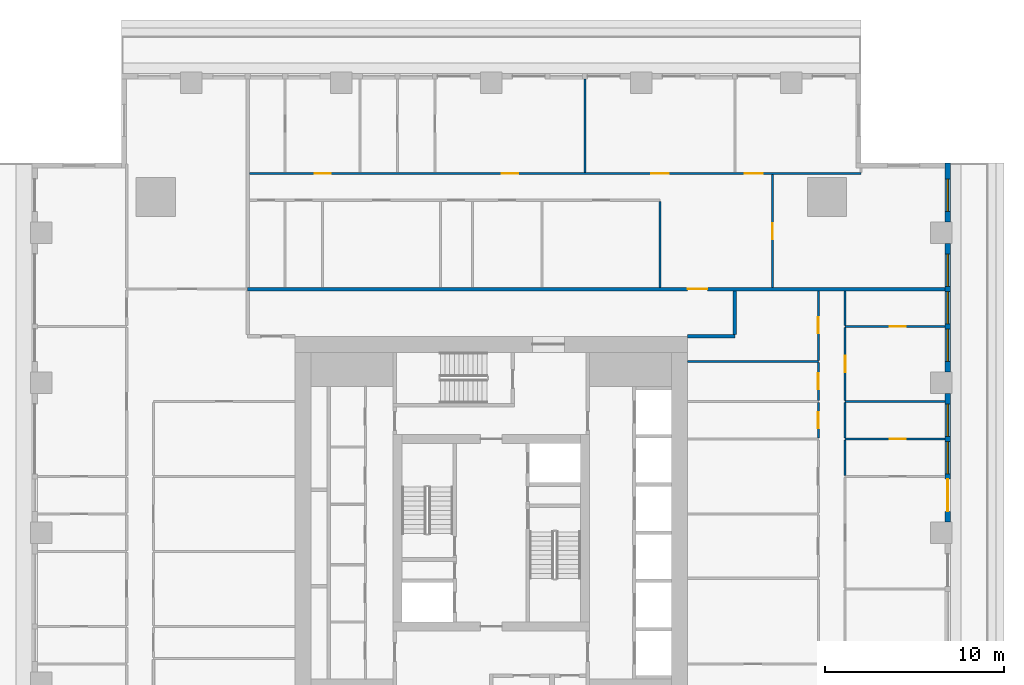
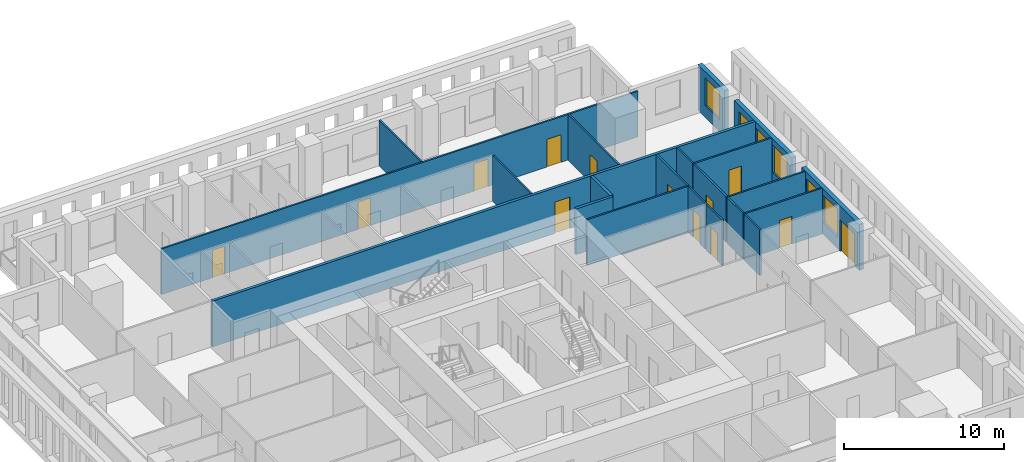
# One storey, part 8 of 14: 21 walls, 13 doors, 6 windows, 19 openings.
"""IFC4 building model written with IfcOpenShell, lengths in metres."""

import ifcopenshell
import ifcopenshell.guid

model = None  # the IFC model being written
_history = None  # IfcOwnerHistory: only IFC2X3 demands one
_inside = {}  # id of a spatial element -> (the spatial element, [elements in it])
_under = {}  # id of a project, library or spatial element -> (it, [spatial elements below it])
_declared = {}  # id of a project -> (the project, [libraries it declares])
_typed = {}  # id of a type object -> (the type object, [elements of that type])
_made_of = {}  # id of a material, layer set ... -> (it, [elements and type objects made of it])


def new_model(schema):
    """Start an empty IFC model of exactly this schema.

    Asked for "IFC4X3", IfcOpenShell would pick the latest addendum, in which some entities
    have other attributes; the version numbers below select the first issue.
    IFC2X3 requires an IfcOwnerHistory on every rooted entity: one is made here for all.
    """
    global model, _history
    if schema == "IFC4X3":
        model = ifcopenshell.file(schema_version=(4, 3, 0, 0))
    else:
        model = ifcopenshell.file(schema=schema)
    _inside.clear()
    _under.clear()
    _declared.clear()
    _typed.clear()
    _made_of.clear()
    _history = None
    if model.schema == "IFC2X3":
        org = make("IfcOrganization", Name="unknown")
        user = make(
            "IfcPersonAndOrganization",
            ThePerson=make("IfcPerson", FamilyName="unknown"),
            TheOrganization=org,
        )
        app = make(
            "IfcApplication",
            ApplicationDeveloper=org,
            Version="unknown",
            ApplicationFullName="unknown",
            ApplicationIdentifier="unknown",
        )
        _history = make(
            "IfcOwnerHistory",
            OwningUser=user,
            OwningApplication=app,
            ChangeAction="ADDED",
            CreationDate=0,
        )
    return model


def make(cls, **values):
    """One entity of the class cls with the attributes given. An attribute that is None is left unset."""
    return model.create_entity(
        cls, **{name: value for name, value in values.items() if value is not None}
    )


def rooted(cls, **values):
    """An entity with a GlobalId (a new one), such as an element, a storey or a relation."""
    return make(cls, GlobalId=ifcopenshell.guid.new(), OwnerHistory=_history, **values)


def si_unit(unit_type, name, prefix=None):
    """IfcSIUnit, for example si_unit("LENGTHUNIT", "METRE", prefix="MILLI")."""
    return make("IfcSIUnit", UnitType=unit_type, Prefix=prefix, Name=name)


def assignment(units):
    """IfcUnitAssignment: the units of a project."""
    return None if units is None else make("IfcUnitAssignment", Units=units)


def point(xyz):
    """IfcCartesianPoint."""
    return None if xyz is None else make("IfcCartesianPoint", Coordinates=xyz)


def direction(xyz):
    """IfcDirection."""
    return None if xyz is None else make("IfcDirection", DirectionRatios=xyz)


def frame(location, z_axis=None, x_axis=None):
    """IfcAxis2Placement3D, a coordinate frame: its origin and axes. An axis left out is left unset."""
    return make(
        "IfcAxis2Placement3D",
        Location=point(location),
        Axis=direction(z_axis),
        RefDirection=direction(x_axis),
    )


def frame_2d(location, x_axis=None):
    """IfcAxis2Placement2D, a coordinate frame in the plane: its origin and x axis."""
    return make(
        "IfcAxis2Placement2D", Location=point(location), RefDirection=direction(x_axis)
    )


def origin():
    """The frame at (0, 0, 0) with its axes left unset."""
    return frame((0.0, 0.0, 0.0))


def place(relative_to, where):
    """IfcLocalPlacement: puts the frame where relative to a parent placement (None: the world)."""
    return make(
        "IfcLocalPlacement", PlacementRelTo=relative_to, RelativePlacement=where
    )


def context(
    kind, dimensions, precision=None, world=None, true_north=None, identifier=None
):
    """IfcGeometricRepresentationContext, for example the 3D "Model" context."""
    return make(
        "IfcGeometricRepresentationContext",
        ContextIdentifier=identifier,
        ContextType=kind,
        CoordinateSpaceDimension=dimensions,
        Precision=precision,
        WorldCoordinateSystem=world,
        TrueNorth=true_north,
    )


def subcontext(parent, identifier, kind, view, scale=None):
    """IfcGeometricRepresentationSubContext, for example "Body" below "Model"."""
    return make(
        "IfcGeometricRepresentationSubContext",
        ContextIdentifier=identifier,
        ContextType=kind,
        ParentContext=parent,
        TargetScale=scale,
        TargetView=view,
    )


def project(units=None, contexts=None):
    """IfcProject with its units and contexts."""
    return rooted(
        "IfcProject",
        Name="project",
        RepresentationContexts=contexts,
        UnitsInContext=assignment(units),
    )


def spatial(cls, under=None, at=None, **own):
    """A site, building, storey or space (cls), placed at a placement, below another one or the project."""
    s = rooted(cls, ObjectPlacement=at, **own)
    if under is not None:
        _under.setdefault(under.id(), (under, []))[1].append(s)
    return s


def profile(cls, at=None, kind="AREA", **sizes):
    """A parametric profile (cls). Its sizes go by their IFC names, for example OverallWidth=200.0."""
    return make(cls, ProfileType=kind, Position=at, **sizes)


def rectangle(**sizes):
    """IfcRectangleProfileDef."""
    return profile("IfcRectangleProfileDef", **sizes)


def extrude(swept, where, along, depth):
    """IfcExtrudedAreaSolid: the profile swept, set in the frame where, extruded along a direction by depth."""
    return make(
        "IfcExtrudedAreaSolid",
        SweptArea=swept,
        Position=where,
        ExtrudedDirection=direction(along),
        Depth=depth,
    )


def shape(context_of_items, identifier, shape_type, items):
    """IfcShapeRepresentation: the items that make up one representation, for example the "Body"."""
    return make(
        "IfcShapeRepresentation",
        ContextOfItems=context_of_items,
        RepresentationIdentifier=identifier,
        RepresentationType=shape_type,
        Items=items,
    )


def material(Name=None, Category=None):
    """IfcMaterial."""
    return make("IfcMaterial", Name=Name, Category=Category)


def layer(
    of_material, thickness, ventilated=None, Name=None, Category=None, Priority=None
):
    """IfcMaterialLayer: one layer of a wall or slab, of a material (None: an air gap)."""
    return make(
        "IfcMaterialLayer",
        Material=of_material,
        LayerThickness=thickness,
        IsVentilated=ventilated,
        Name=Name,
        Category=Category,
        Priority=Priority,
    )


def layer_set(layers, Name=None):
    """IfcMaterialLayerSet."""
    return make("IfcMaterialLayerSet", MaterialLayers=layers, LayerSetName=Name)


def made_of(thing, what):
    """Note that an element or type object is made of a material, layer set ...; save() writes the relation."""
    if what is not None:
        _made_of.setdefault(what.id(), (what, []))[1].append(thing)
    return thing


def type_object(cls, material=None, **own):
    """A type object (cls), such as IfcWallType, which elements share."""
    return made_of(rooted(cls, **own), material)


def element(
    cls,
    number,
    at=None,
    inside=None,
    cuts=None,
    type_object=None,
    material=None,
    context=None,
    identifier="Body",
    shape_type=None,
    held_by="IfcProductDefinitionShape",
    body=None,
    shapes=None,
    **own,
):
    """One element of the class cls, such as IfcWall. Its Tag is "e" and its number.

    at: its placement. inside: the storey or other place that contains it. cuts: it is an
    opening in that element (IfcRelVoidsElement). A single representation is given by context,
    identifier, shape_type and body (its items); several are given by shapes. held_by: the class
    of the entity that holds the representations. save() writes the other relations.
    """
    e = rooted(cls, Tag="e%d" % number, ObjectPlacement=at, **own)
    if body is not None:
        shapes = [shape(context, identifier, shape_type, body)]
    if shapes is not None:
        e.Representation = make(held_by, Representations=shapes)
    if inside is not None:
        _inside.setdefault(inside.id(), (inside, []))[1].append(e)
    if cuts is not None:
        rooted(
            "IfcRelVoidsElement", RelatingBuildingElement=cuts, RelatedOpeningElement=e
        )
    if type_object is not None:
        _typed.setdefault(type_object.id(), (type_object, []))[1].append(e)
    return made_of(e, material)


def fill(opening, filler):
    """IfcRelFillsElement: the door or window that sits in an opening."""
    return rooted(
        "IfcRelFillsElement",
        RelatingOpeningElement=opening,
        RelatedBuildingElement=filler,
    )


def aggregate(whole, parts):
    """IfcRelAggregates: a whole, such as a stair, and the parts it consists of."""
    return rooted("IfcRelAggregates", RelatingObject=whole, RelatedObjects=parts)


def save(model, path):
    """Write the relations noted so far, then the file.

    IfcRelAggregates (storeys below a building ...), IfcRelContainedInSpatialStructure (elements
    in a storey), IfcRelDefinesByType, IfcRelAssociatesMaterial and IfcRelDeclares: one each for
    every whole, place, type object, material and project.
    """
    for whole, parts in _under.values():
        aggregate(whole, parts)
    for where, things in _inside.values():
        rooted(
            "IfcRelContainedInSpatialStructure",
            RelatedElements=things,
            RelatingStructure=where,
        )
    for kind, things in _typed.values():
        rooted("IfcRelDefinesByType", RelatedObjects=things, RelatingType=kind)
    for what, things in _made_of.values():
        rooted("IfcRelAssociatesMaterial", RelatedObjects=things, RelatingMaterial=what)
    for by, libraries in _declared.values():
        rooted("IfcRelDeclares", RelatingContext=by, RelatedDefinitions=libraries)
    model.write(path)


model = new_model("IFC4")

# Units and contexts
model_context = context("Model", 3, precision=1e-05, world=origin(), true_north=direction((0.0, 1.0)))
body_context = subcontext(model_context, "Body", "Model", "MODEL_VIEW")
ifc_project = project(units=[si_unit("LENGTHUNIT", "METRE"), si_unit("AREAUNIT", "SQUARE_METRE"), si_unit("VOLUMEUNIT", "CUBIC_METRE"), si_unit("PLANEANGLEUNIT", "RADIAN"), si_unit("MASSUNIT", "GRAM", prefix="KILO")], contexts=[model_context])

# Site, building, storey
site_placement = place(None, origin())
site = spatial("IfcSite", under=ifc_project, at=site_placement, CompositionType="ELEMENT")
building_placement = place(site_placement, origin())
building = spatial("IfcBuilding", under=site, at=building_placement, Name="Khepri Terraces", CompositionType="ELEMENT")
storey_placement = place(building_placement, frame((0.0, 0.0, 271.800048828125)))
storey = spatial("IfcBuildingStorey", under=building, at=storey_placement, Name="L65", CompositionType="ELEMENT", Elevation=271.800048828125)

# Walls
ifc_material_1 = material(Name="Fire-rated gypsum plasterboard partition, mineral wool")
ifc_layer_1 = layer(ifc_material_1, 0.199951171875, Name="Fire-rated gypsum plasterboard partition, mineral wool")
ifc_layer_set_1 = layer_set([ifc_layer_1], Name="Fire-rated gypsum plasterboard partition, mineral wool")
wall_type_1 = type_object("IfcWallType", Name="WL-CORR-200", PredefinedType="PARTITIONING", material=ifc_layer_set_1)
wall_1_placement = place(storey_placement, frame((11.0, 11.0, 0.0), z_axis=(0.0, 0.0, 1.0), x_axis=(1.0, 0.0, 0.0)))
element("IfcWall", 1, at=wall_1_placement, inside=storey, type_object=wall_type_1, Name="Partition P-071 L65", PredefinedType="PARTITIONING", context=body_context, shape_type="SweptSolid", body=[
    extrude(rectangle(XDim=2.64990234375, YDim=0.199951171875, at=frame_2d((1.324951171875, 0.0))), origin(), (0.0, 0.0, 1.0), 3.47998046875),
])
wall_2_placement = place(storey_placement, frame((13.64990234375, 11.10009765625, 0.0), z_axis=(0.0, 0.0, 1.0), x_axis=(0.0, 1.0, 0.0)))
element("IfcWall", 2, at=wall_2_placement, inside=storey, type_object=wall_type_1, Name="Partition P-073 L65", PredefinedType="PARTITIONING", context=body_context, shape_type="SweptSolid", body=[
    extrude(rectangle(XDim=2.449951171875, YDim=0.199951171875, at=frame_2d((1.22509765625, 0.0))), origin(), (0.0, 0.0, 1.0), 3.47998046875),
])

# Wall, opening, door
wall_3_placement = place(storey_placement, frame((-13.64990234375, 13.64990234375, 0.0), z_axis=(0.0, 0.0, 1.0), x_axis=(1.0, 0.0, 0.0)))
wall_3 = element("IfcWall", 3, at=wall_3_placement, inside=storey, type_object=wall_type_1, Name="Partition P-079 L65", PredefinedType="PARTITIONING", context=body_context, shape_type="SweptSolid", body=[
    extrude(rectangle(XDim=39.06982421875, YDim=0.199951171875, at=frame_2d((19.534912109375, 0.0))), origin(), (0.0, 0.0, 1.0), 3.47998046875),
])
opening_1_placement = place(wall_3_placement, frame((24.64990234375, 0.0, 0.0)))
opening_1 = element("IfcOpeningElement", 4, at=opening_1_placement, cuts=wall_3, Name="Opening D1", PredefinedType="OPENING", context=body_context, shape_type="SweptSolid", body=[
    extrude(rectangle(XDim=1.10009765625, YDim=2.39990234375, at=frame_2d((0.550048828125, 1.199951171875))), frame((0.0, 0.10986328125, 0.0), z_axis=(0.0, -1.0, 0.0), x_axis=(1.0, 0.0, 0.0)), (0.0, 0.0, 1.0), 0.219970703125),
])
ifc_material_2 = material(Name="Solid-core timber door leaf, flat entrance door", Category="wood")
door_type_1 = type_object("IfcDoorType", Name="DR-ENT-1100", OperationType="NOTDEFINED", PredefinedType="DOOR", material=ifc_material_2)
door_1_placement = place(opening_1_placement, origin())
door_1 = element("IfcDoor", 5, at=door_1_placement, inside=storey, type_object=door_type_1, Name="Flat C1 entrance door", OperationType="SINGLE_SWING_RIGHT", OverallHeight=2.39990234375, OverallWidth=1.10009765625, PredefinedType="DOOR", context=body_context, shape_type="SweptSolid", body=[
    extrude(rectangle(XDim=1.10009765625, YDim=2.39990234375, at=frame_2d((0.550048828125, 1.199951171875))), frame((0.0, 0.02490234375, 0.0), z_axis=(0.0, -1.0, 0.0), x_axis=(1.0, 0.0, 0.0)), (0.0, 0.0, 1.0), 0.050048828125),
])
fill(opening_1, door_1)

# Wall, openings, door, windows
ifc_material_3 = material(Name="Precast concrete C50/60 warm stone", Category="masonry")
ifc_layer_2 = layer(ifc_material_3, 0.300048828125, Name="Precast concrete C50/60 warm stone", Category="masonry")
ifc_layer_set_2 = layer_set([ifc_layer_2], Name="Precast concrete C50/60 warm stone")
wall_type_2 = type_object("IfcWallType", Name="WL-EXT-PRECAST-300", PredefinedType="STANDARD", material=ifc_layer_set_2)
wall_4_placement = place(storey_placement, frame((25.570068359375, 0.60009765625, 0.0), z_axis=(0.0, 0.0, 1.0), x_axis=(0.0, 1.0, 0.0)))
wall_4 = element("IfcWall", 6, at=wall_4_placement, inside=storey, type_object=wall_type_2, Name="External wall L65 E", PredefinedType="STANDARD", context=body_context, shape_type="SweptSolid", body=[
    extrude(rectangle(XDim=7.199951171875, YDim=0.300048828125, at=frame_2d((3.60009765625, 0.0))), origin(), (0.0, 0.0, 1.0), 3.47998046875),
])
opening_2_placement = place(wall_4_placement, frame((0.60009765625, 0.0, 0.0)))
opening_2 = element("IfcOpeningElement", 7, at=opening_2_placement, cuts=wall_4, Name="Opening ED-L65-04", PredefinedType="OPENING", context=body_context, shape_type="SweptSolid", body=[
    extrude(rectangle(XDim=1.800048828125, YDim=2.39990234375, at=frame_2d((0.89990234375, 1.199951171875))), frame((0.0, 0.16015625, 0.0), z_axis=(0.0, -1.0, 0.0), x_axis=(1.0, 0.0, 0.0)), (0.0, 0.0, 1.0), 0.320068359375),
])
opening_3_placement = place(wall_4_placement, frame((2.699951171875, 0.0, 0.89990234375)))
opening_3 = element("IfcOpeningElement", 8, at=opening_3_placement, cuts=wall_4, Name="Opening W1", PredefinedType="OPENING", context=body_context, shape_type="SweptSolid", body=[
    extrude(rectangle(XDim=1.800048828125, YDim=2.10009765625, at=frame_2d((0.89990234375, 1.050048828125))), frame((0.0, 0.16015625, 0.0), z_axis=(0.0, -1.0, 0.0), x_axis=(1.0, 0.0, 0.0)), (0.0, 0.0, 1.0), 0.320068359375),
])
opening_4_placement = place(wall_4_placement, frame((4.800048828125, 0.0, 0.89990234375)))
opening_4 = element("IfcOpeningElement", 9, at=opening_4_placement, cuts=wall_4, Name="Opening W1", PredefinedType="OPENING", context=body_context, shape_type="SweptSolid", body=[
    extrude(rectangle(XDim=1.800048828125, YDim=2.10009765625, at=frame_2d((0.89990234375, 1.050048828125))), frame((0.0, 0.16015625, 0.0), z_axis=(0.0, -1.0, 0.0), x_axis=(1.0, 0.0, 0.0)), (0.0, 0.0, 1.0), 0.320068359375),
])
ifc_material_4 = material(Name="Anodised aluminium bronze glazed door", Category="aluminium")
door_type_2 = type_object("IfcDoorType", Name="DR-BAL-SLIDE-1800x2400", OperationType="NOTDEFINED", PredefinedType="DOOR", material=ifc_material_4)
door_2_placement = place(opening_2_placement, origin())
door_2 = element("IfcDoor", 10, at=door_2_placement, inside=storey, type_object=door_type_2, Name="Balcony door L65 E", OperationType="SLIDING_TO_LEFT", OverallHeight=2.39990234375, OverallWidth=1.800048828125, PredefinedType="DOOR", context=body_context, shape_type="SweptSolid", body=[
    extrude(rectangle(XDim=1.800048828125, YDim=2.39990234375, at=frame_2d((0.89990234375, 1.199951171875))), frame((0.0, 0.02490234375, 0.0), z_axis=(0.0, -1.0, 0.0), x_axis=(1.0, 0.0, 0.0)), (0.0, 0.0, 1.0), 0.050048828125),
])
fill(opening_2, door_2)
ifc_material_5 = material(Name="Clear glass", Category="glass")
window_type = type_object("IfcWindowType", Name="WIN-RES-1800x2100", PartitioningType="SINGLE_PANEL", PredefinedType="WINDOW", material=ifc_material_5)
window_1_placement = place(opening_3_placement, origin())
window_1 = element("IfcWindow", 11, at=window_1_placement, inside=storey, type_object=window_type, Name="Window L65 E", OverallHeight=2.10009765625, OverallWidth=1.800048828125, PartitioningType="SINGLE_PANEL", PredefinedType="WINDOW", context=body_context, shape_type="SweptSolid", body=[
    extrude(rectangle(XDim=1.800048828125, YDim=2.10009765625, at=frame_2d((0.89990234375, 1.050048828125))), frame((0.0, 0.030029296875, 0.0), z_axis=(0.0, -1.0, 0.0), x_axis=(1.0, 0.0, 0.0)), (0.0, 0.0, 1.0), 0.06005859375),
])
fill(opening_3, window_1)
window_2_placement = place(opening_4_placement, origin())
window_2 = element("IfcWindow", 12, at=window_2_placement, inside=storey, type_object=window_type, Name="Window L65 E", OverallHeight=2.10009765625, OverallWidth=1.800048828125, PartitioningType="SINGLE_PANEL", PredefinedType="WINDOW", context=body_context, shape_type="SweptSolid", body=[
    extrude(rectangle(XDim=1.800048828125, YDim=2.10009765625, at=frame_2d((0.89990234375, 1.050048828125))), frame((0.0, 0.030029296875, 0.0), z_axis=(0.0, -1.0, 0.0), x_axis=(1.0, 0.0, 0.0)), (0.0, 0.0, 1.0), 0.06005859375),
])
fill(opening_4, window_2)

# Wall, openings, windows
wall_5_placement = place(storey_placement, frame((25.570068359375, 9.0, 0.0), z_axis=(0.0, 0.0, 1.0), x_axis=(0.0, 1.0, 0.0)))
wall_5 = element("IfcWall", 13, at=wall_5_placement, inside=storey, type_object=wall_type_2, Name="External wall L65 E", PredefinedType="STANDARD", context=body_context, shape_type="SweptSolid", body=[
    extrude(rectangle(XDim=7.199951171875, YDim=0.300048828125, at=frame_2d((3.60009765625, 0.0))), origin(), (0.0, 0.0, 1.0), 3.47998046875),
])
opening_5_placement = place(wall_5_placement, frame((0.60009765625, 0.0, 0.89990234375)))
opening_5 = element("IfcOpeningElement", 14, at=opening_5_placement, cuts=wall_5, Name="Opening W1", PredefinedType="OPENING", context=body_context, shape_type="SweptSolid", body=[
    extrude(rectangle(XDim=1.800048828125, YDim=2.10009765625, at=frame_2d((0.89990234375, 1.050048828125))), frame((0.0, 0.16015625, 0.0), z_axis=(0.0, -1.0, 0.0), x_axis=(1.0, 0.0, 0.0)), (0.0, 0.0, 1.0), 0.320068359375),
])
opening_6_placement = place(wall_5_placement, frame((2.699951171875, 0.0, 0.89990234375)))
opening_6 = element("IfcOpeningElement", 15, at=opening_6_placement, cuts=wall_5, Name="Opening W1", PredefinedType="OPENING", context=body_context, shape_type="SweptSolid", body=[
    extrude(rectangle(XDim=1.800048828125, YDim=2.10009765625, at=frame_2d((0.89990234375, 1.050048828125))), frame((0.0, 0.16015625, 0.0), z_axis=(0.0, -1.0, 0.0), x_axis=(1.0, 0.0, 0.0)), (0.0, 0.0, 1.0), 0.320068359375),
])
opening_7_placement = place(wall_5_placement, frame((4.800048828125, 0.0, 0.89990234375)))
opening_7 = element("IfcOpeningElement", 16, at=opening_7_placement, cuts=wall_5, Name="Opening W1", PredefinedType="OPENING", context=body_context, shape_type="SweptSolid", body=[
    extrude(rectangle(XDim=1.800048828125, YDim=2.10009765625, at=frame_2d((0.89990234375, 1.050048828125))), frame((0.0, 0.16015625, 0.0), z_axis=(0.0, -1.0, 0.0), x_axis=(1.0, 0.0, 0.0)), (0.0, 0.0, 1.0), 0.320068359375),
])
window_3_placement = place(opening_5_placement, origin())
window_3 = element("IfcWindow", 17, at=window_3_placement, inside=storey, type_object=window_type, Name="Window L65 E", OverallHeight=2.10009765625, OverallWidth=1.800048828125, PartitioningType="SINGLE_PANEL", PredefinedType="WINDOW", context=body_context, shape_type="SweptSolid", body=[
    extrude(rectangle(XDim=1.800048828125, YDim=2.10009765625, at=frame_2d((0.89990234375, 1.050048828125))), frame((0.0, 0.030029296875, 0.0), z_axis=(0.0, -1.0, 0.0), x_axis=(1.0, 0.0, 0.0)), (0.0, 0.0, 1.0), 0.06005859375),
])
fill(opening_5, window_3)
window_4_placement = place(opening_6_placement, origin())
window_4 = element("IfcWindow", 18, at=window_4_placement, inside=storey, type_object=window_type, Name="Window L65 E", OverallHeight=2.10009765625, OverallWidth=1.800048828125, PartitioningType="SINGLE_PANEL", PredefinedType="WINDOW", context=body_context, shape_type="SweptSolid", body=[
    extrude(rectangle(XDim=1.800048828125, YDim=2.10009765625, at=frame_2d((0.89990234375, 1.050048828125))), frame((0.0, 0.030029296875, 0.0), z_axis=(0.0, -1.0, 0.0), x_axis=(1.0, 0.0, 0.0)), (0.0, 0.0, 1.0), 0.06005859375),
])
fill(opening_6, window_4)
window_5_placement = place(opening_7_placement, origin())
window_5 = element("IfcWindow", 19, at=window_5_placement, inside=storey, type_object=window_type, Name="Window L65 E", OverallHeight=2.10009765625, OverallWidth=1.800048828125, PartitioningType="SINGLE_PANEL", PredefinedType="WINDOW", context=body_context, shape_type="SweptSolid", body=[
    extrude(rectangle(XDim=1.800048828125, YDim=2.10009765625, at=frame_2d((0.89990234375, 1.050048828125))), frame((0.0, 0.030029296875, 0.0), z_axis=(0.0, -1.0, 0.0), x_axis=(1.0, 0.0, 0.0)), (0.0, 0.0, 1.0), 0.06005859375),
])
fill(opening_7, window_5)

# Wall, opening, window
wall_6_placement = place(storey_placement, frame((25.570068359375, 17.39990234375, 0.0), z_axis=(0.0, 0.0, 1.0), x_axis=(0.0, 1.0, 0.0)))
wall_6 = element("IfcWall", 20, at=wall_6_placement, inside=storey, type_object=wall_type_2, Name="External wall L65 E", PredefinedType="STANDARD", context=body_context, shape_type="SweptSolid", body=[
    extrude(rectangle(XDim=3.320068359375, YDim=0.300048828125, at=frame_2d((1.66015625, 0.0))), origin(), (0.0, 0.0, 1.0), 3.47998046875),
])
opening_8_placement = place(wall_6_placement, frame((0.60009765625, 0.0, 0.89990234375)))
opening_8 = element("IfcOpeningElement", 21, at=opening_8_placement, cuts=wall_6, Name="Opening W1", PredefinedType="OPENING", context=body_context, shape_type="SweptSolid", body=[
    extrude(rectangle(XDim=1.800048828125, YDim=2.10009765625, at=frame_2d((0.89990234375, 1.050048828125))), frame((0.0, 0.16015625, 0.0), z_axis=(0.0, -1.0, 0.0), x_axis=(1.0, 0.0, 0.0)), (0.0, 0.0, 1.0), 0.320068359375),
])
window_6_placement = place(opening_8_placement, origin())
window_6 = element("IfcWindow", 22, at=window_6_placement, inside=storey, type_object=window_type, Name="Window L65 E", OverallHeight=2.10009765625, OverallWidth=1.800048828125, PartitioningType="SINGLE_PANEL", PredefinedType="WINDOW", context=body_context, shape_type="SweptSolid", body=[
    extrude(rectangle(XDim=1.800048828125, YDim=2.10009765625, at=frame_2d((0.89990234375, 1.050048828125))), frame((0.0, 0.030029296875, 0.0), z_axis=(0.0, -1.0, 0.0), x_axis=(1.0, 0.0, 0.0)), (0.0, 0.0, 1.0), 0.06005859375),
])
fill(opening_8, window_6)

# Wall
ifc_material_6 = material(Name="Gypsum plasterboard partition")
ifc_layer_3 = layer(ifc_material_6, 0.1201171875, Name="Gypsum plasterboard partition")
ifc_layer_set_3 = layer_set([ifc_layer_3], Name="Gypsum plasterboard partition")
wall_type_3 = type_object("IfcWallType", Name="WL-PART-120", PredefinedType="PARTITIONING", material=ifc_layer_set_3)
wall_7_placement = place(storey_placement, frame((19.820068359375, 3.2099609375, 0.0), z_axis=(0.0, 0.0, 1.0), x_axis=(0.0, 1.0, 0.0)))
element("IfcWall", 23, at=wall_7_placement, inside=storey, type_object=wall_type_3, Name="Partition P-058 L65", PredefinedType="PARTITIONING", context=body_context, shape_type="SweptSolid", body=[
    extrude(rectangle(XDim=1.97998046875, YDim=0.1201171875, at=frame_2d((0.989990234375, 0.0))), origin(), (0.0, 0.0, 1.0), 3.47998046875),
])

# Wall, opening, door
wall_8_placement = place(storey_placement, frame((19.820068359375, 5.25, 0.0), z_axis=(0.0, 0.0, 1.0), x_axis=(1.0, 0.0, 0.0)))
wall_8 = element("IfcWall", 24, at=wall_8_placement, inside=storey, type_object=wall_type_3, Name="Partition P-060 L65", PredefinedType="PARTITIONING", context=body_context, shape_type="SweptSolid", body=[
    extrude(rectangle(XDim=5.599853515625, YDim=0.1201171875, at=frame_2d((2.7998046875, 0.0))), origin(), (0.0, 0.0, 1.0), 3.47998046875),
])
opening_9_placement = place(wall_8_placement, frame((2.5, 0.0, 0.0)))
opening_9 = element("IfcOpeningElement", 25, at=opening_9_placement, cuts=wall_8, Name="Opening D4", PredefinedType="OPENING", context=body_context, shape_type="SweptSolid", body=[
    extrude(rectangle(XDim=0.89990234375, YDim=2.10009765625, at=frame_2d((0.449951171875, 1.050048828125))), frame((0.0, 0.070068359375, 0.0), z_axis=(0.0, -1.0, 0.0), x_axis=(1.0, 0.0, 0.0)), (0.0, 0.0, 1.0), 0.14013671875),
])
ifc_material_7 = material(Name="Timber door leaf, moisture resistant", Category="wood")
door_type_3 = type_object("IfcDoorType", Name="DR-WET-900", OperationType="NOTDEFINED", PredefinedType="DOOR", material=ifc_material_7)
door_3_placement = place(opening_9_placement, origin())
door_3 = element("IfcDoor", 26, at=door_3_placement, inside=storey, type_object=door_type_3, Name="Door Bathroom", OperationType="SINGLE_SWING_RIGHT", OverallHeight=2.10009765625, OverallWidth=0.89990234375, PredefinedType="DOOR", context=body_context, shape_type="SweptSolid", body=[
    extrude(rectangle(XDim=0.89990234375, YDim=2.10009765625, at=frame_2d((0.449951171875, 1.050048828125))), frame((0.0, 0.02490234375, 0.0), z_axis=(0.0, -1.0, 0.0), x_axis=(1.0, 0.0, 0.0)), (0.0, 0.0, 1.0), 0.050048828125),
])
fill(opening_9, door_3)

wall_9_placement = place(storey_placement, frame((18.320068359375, 5.31005859375, 0.0), z_axis=(0.0, 0.0, 1.0), x_axis=(0.0, 1.0, 0.0)))
wall_9 = element("IfcWall", 27, at=wall_9_placement, inside=storey, type_object=wall_type_3, Name="Partition P-061 L65", PredefinedType="PARTITIONING", context=body_context, shape_type="SweptSolid", body=[
    extrude(rectangle(XDim=1.97998046875, YDim=0.1201171875, at=frame_2d((0.989990234375, 0.0))), origin(), (0.0, 0.0, 1.0), 3.47998046875),
])
opening_10_placement = place(wall_9_placement, frame((0.5400390625, 0.0, 0.0)))
opening_10 = element("IfcOpeningElement", 28, at=opening_10_placement, cuts=wall_9, Name="Opening D4", PredefinedType="OPENING", context=body_context, shape_type="SweptSolid", body=[
    extrude(rectangle(XDim=0.89990234375, YDim=2.10009765625, at=frame_2d((0.449951171875, 1.050048828125))), frame((0.0, 0.070068359375, 0.0), z_axis=(0.0, -1.0, 0.0), x_axis=(1.0, 0.0, 0.0)), (0.0, 0.0, 1.0), 0.14013671875),
])
door_4_placement = place(opening_10_placement, origin())
door_4 = element("IfcDoor", 29, at=door_4_placement, inside=storey, type_object=door_type_3, Name="Door Powder Room", OperationType="SINGLE_SWING_RIGHT", OverallHeight=2.10009765625, OverallWidth=0.89990234375, PredefinedType="DOOR", context=body_context, shape_type="SweptSolid", body=[
    extrude(rectangle(XDim=0.89990234375, YDim=2.10009765625, at=frame_2d((0.449951171875, 1.050048828125))), frame((0.0, 0.02490234375, 0.0), z_axis=(0.0, -1.0, 0.0), x_axis=(1.0, 0.0, 0.0)), (0.0, 0.0, 1.0), 0.050048828125),
])
fill(opening_10, door_4)

# Walls
wall_10_placement = place(storey_placement, frame((19.820068359375, 5.31005859375, 0.0), z_axis=(0.0, 0.0, 1.0), x_axis=(0.0, 1.0, 0.0)))
element("IfcWall", 30, at=wall_10_placement, inside=storey, type_object=wall_type_3, Name="Partition P-062 L65", PredefinedType="PARTITIONING", context=body_context, shape_type="SweptSolid", body=[
    extrude(rectangle(XDim=1.97998046875, YDim=0.1201171875, at=frame_2d((0.989990234375, 0.0))), origin(), (0.0, 0.0, 1.0), 3.47998046875),
])
wall_11_placement = place(storey_placement, frame((19.820068359375, 7.35009765625, 0.0), z_axis=(0.0, 0.0, 1.0), x_axis=(1.0, 0.0, 0.0)))
element("IfcWall", 31, at=wall_11_placement, inside=storey, type_object=wall_type_3, Name="Partition P-065 L65", PredefinedType="PARTITIONING", context=body_context, shape_type="SweptSolid", body=[
    extrude(rectangle(XDim=5.599853515625, YDim=0.1201171875, at=frame_2d((2.7998046875, 0.0))), origin(), (0.0, 0.0, 1.0), 3.47998046875),
])

# Wall, opening, door
wall_12_placement = place(storey_placement, frame((18.320068359375, 7.409912109375, 0.0), z_axis=(0.0, 0.0, 1.0), x_axis=(0.0, 1.0, 0.0)))
wall_12 = element("IfcWall", 32, at=wall_12_placement, inside=storey, type_object=wall_type_3, Name="Partition P-066 L65", PredefinedType="PARTITIONING", context=body_context, shape_type="SweptSolid", body=[
    extrude(rectangle(XDim=2.130126953125, YDim=0.1201171875, at=frame_2d((1.06494140625, 0.0))), origin(), (0.0, 0.0, 1.0), 3.47998046875),
])
opening_11_placement = place(wall_12_placement, frame((0.614990234375, 0.0, 0.0)))
opening_11 = element("IfcOpeningElement", 33, at=opening_11_placement, cuts=wall_12, Name="Opening D4", PredefinedType="OPENING", context=body_context, shape_type="SweptSolid", body=[
    extrude(rectangle(XDim=0.89990234375, YDim=2.10009765625, at=frame_2d((0.449951171875, 1.050048828125))), frame((0.0, 0.070068359375, 0.0), z_axis=(0.0, -1.0, 0.0), x_axis=(1.0, 0.0, 0.0)), (0.0, 0.0, 1.0), 0.14013671875),
])
door_5_placement = place(opening_11_placement, origin())
door_5 = element("IfcDoor", 34, at=door_5_placement, inside=storey, type_object=door_type_3, Name="Door Guest Bathroom", OperationType="SINGLE_SWING_RIGHT", OverallHeight=2.10009765625, OverallWidth=0.89990234375, PredefinedType="DOOR", context=body_context, shape_type="SweptSolid", body=[
    extrude(rectangle(XDim=0.89990234375, YDim=2.10009765625, at=frame_2d((0.449951171875, 1.050048828125))), frame((0.0, 0.02490234375, 0.0), z_axis=(0.0, -1.0, 0.0), x_axis=(1.0, 0.0, 0.0)), (0.0, 0.0, 1.0), 0.050048828125),
])
fill(opening_11, door_5)

wall_13_placement = place(storey_placement, frame((19.820068359375, 7.409912109375, 0.0), z_axis=(0.0, 0.0, 1.0), x_axis=(0.0, 1.0, 0.0)))
wall_13 = element("IfcWall", 35, at=wall_13_placement, inside=storey, type_object=wall_type_3, Name="Partition P-067 L65", PredefinedType="PARTITIONING", context=body_context, shape_type="SweptSolid", body=[
    extrude(rectangle(XDim=4.080078125, YDim=0.1201171875, at=frame_2d((2.0400390625, 0.0))), origin(), (0.0, 0.0, 1.0), 3.47998046875),
])
opening_12_placement = place(wall_13_placement, frame((1.590087890625, 0.0, 0.0)))
opening_12 = element("IfcOpeningElement", 36, at=opening_12_placement, cuts=wall_13, Name="Opening D3", PredefinedType="OPENING", context=body_context, shape_type="SweptSolid", body=[
    extrude(rectangle(XDim=0.89990234375, YDim=2.10009765625, at=frame_2d((0.449951171875, 1.050048828125))), frame((0.0, 0.070068359375, 0.0), z_axis=(0.0, -1.0, 0.0), x_axis=(1.0, 0.0, 0.0)), (0.0, 0.0, 1.0), 0.14013671875),
])
ifc_material_8 = material(Name="Timber door leaf", Category="wood")
door_type_4 = type_object("IfcDoorType", Name="DR-INT-900", OperationType="NOTDEFINED", PredefinedType="DOOR", material=ifc_material_8)
door_6_placement = place(opening_12_placement, frame((0.89990234375, 0.0, 0.0), z_axis=(0.0, 0.0, 1.0), x_axis=(-1.0, 0.0, 0.0)))
door_6 = element("IfcDoor", 37, at=door_6_placement, inside=storey, type_object=door_type_4, Name="Door Bedroom", OperationType="SINGLE_SWING_RIGHT", OverallHeight=2.10009765625, OverallWidth=0.89990234375, PredefinedType="DOOR", context=body_context, shape_type="SweptSolid", body=[
    extrude(rectangle(XDim=0.89990234375, YDim=2.10009765625, at=frame_2d((0.449951171875, 1.050048828125))), frame((0.0, 0.02490234375, 0.0), z_axis=(0.0, -1.0, 0.0), x_axis=(1.0, 0.0, 0.0)), (0.0, 0.0, 1.0), 0.050048828125),
])
fill(opening_12, door_6)

# Wall
wall_14_placement = place(storey_placement, frame((11.0, 9.60009765625, 0.0), z_axis=(0.0, 0.0, 1.0), x_axis=(1.0, 0.0, 0.0)))
element("IfcWall", 38, at=wall_14_placement, inside=storey, type_object=wall_type_3, Name="Partition P-068 L65", PredefinedType="PARTITIONING", context=body_context, shape_type="SweptSolid", body=[
    extrude(rectangle(XDim=7.320068359375, YDim=0.1201171875, at=frame_2d((3.66015625, 0.0))), origin(), (0.0, 0.0, 1.0), 3.47998046875),
])

# Wall, opening, door
wall_15_placement = place(storey_placement, frame((18.320068359375, 9.659912109375, 0.0), z_axis=(0.0, 0.0, 1.0), x_axis=(0.0, 1.0, 0.0)))
wall_15 = element("IfcWall", 39, at=wall_15_placement, inside=storey, type_object=wall_type_3, Name="Partition P-069 L65", PredefinedType="PARTITIONING", context=body_context, shape_type="SweptSolid", body=[
    extrude(rectangle(XDim=3.89013671875, YDim=0.1201171875, at=frame_2d((1.945068359375, 0.0))), origin(), (0.0, 0.0, 1.0), 3.47998046875),
])
opening_13_placement = place(wall_15_placement, frame((1.514892578125, 0.0, 0.0)))
opening_13 = element("IfcOpeningElement", 40, at=opening_13_placement, cuts=wall_15, Name="Opening D3", PredefinedType="OPENING", context=body_context, shape_type="SweptSolid", body=[
    extrude(rectangle(XDim=0.89990234375, YDim=2.10009765625, at=frame_2d((0.449951171875, 1.050048828125))), frame((0.0, 0.070068359375, 0.0), z_axis=(0.0, -1.0, 0.0), x_axis=(1.0, 0.0, 0.0)), (0.0, 0.0, 1.0), 0.14013671875),
])
door_7_placement = place(opening_13_placement, origin())
door_7 = element("IfcDoor", 41, at=door_7_placement, inside=storey, type_object=door_type_4, Name="Door Library", OperationType="SINGLE_SWING_RIGHT", OverallHeight=2.10009765625, OverallWidth=0.89990234375, PredefinedType="DOOR", context=body_context, shape_type="SweptSolid", body=[
    extrude(rectangle(XDim=0.89990234375, YDim=2.10009765625, at=frame_2d((0.449951171875, 1.050048828125))), frame((0.0, 0.02490234375, 0.0), z_axis=(0.0, -1.0, 0.0), x_axis=(1.0, 0.0, 0.0)), (0.0, 0.0, 1.0), 0.050048828125),
])
fill(opening_13, door_7)

wall_16_placement = place(storey_placement, frame((19.820068359375, 11.550048828125, 0.0), z_axis=(0.0, 0.0, 1.0), x_axis=(1.0, 0.0, 0.0)))
wall_16 = element("IfcWall", 42, at=wall_16_placement, inside=storey, type_object=wall_type_3, Name="Partition P-075 L65", PredefinedType="PARTITIONING", context=body_context, shape_type="SweptSolid", body=[
    extrude(rectangle(XDim=5.599853515625, YDim=0.1201171875, at=frame_2d((2.7998046875, 0.0))), origin(), (0.0, 0.0, 1.0), 3.47998046875),
])
opening_14_placement = place(wall_16_placement, frame((2.5, 0.0, 0.0)))
opening_14 = element("IfcOpeningElement", 43, at=opening_14_placement, cuts=wall_16, Name="Opening D4", PredefinedType="OPENING", context=body_context, shape_type="SweptSolid", body=[
    extrude(rectangle(XDim=0.89990234375, YDim=2.10009765625, at=frame_2d((0.449951171875, 1.050048828125))), frame((0.0, 0.070068359375, 0.0), z_axis=(0.0, -1.0, 0.0), x_axis=(1.0, 0.0, 0.0)), (0.0, 0.0, 1.0), 0.14013671875),
])
door_8_placement = place(opening_14_placement, origin())
door_8 = element("IfcDoor", 44, at=door_8_placement, inside=storey, type_object=door_type_3, Name="Door Bathroom", OperationType="SINGLE_SWING_RIGHT", OverallHeight=2.10009765625, OverallWidth=0.89990234375, PredefinedType="DOOR", context=body_context, shape_type="SweptSolid", body=[
    extrude(rectangle(XDim=0.89990234375, YDim=2.10009765625, at=frame_2d((0.449951171875, 1.050048828125))), frame((0.0, 0.02490234375, 0.0), z_axis=(0.0, -1.0, 0.0), x_axis=(1.0, 0.0, 0.0)), (0.0, 0.0, 1.0), 0.050048828125),
])
fill(opening_14, door_8)

# Walls
wall_17_placement = place(storey_placement, frame((19.820068359375, 11.610107421875, 0.0), z_axis=(0.0, 0.0, 1.0), x_axis=(0.0, 1.0, 0.0)))
element("IfcWall", 45, at=wall_17_placement, inside=storey, type_object=wall_type_3, Name="Partition P-077 L65", PredefinedType="PARTITIONING", context=body_context, shape_type="SweptSolid", body=[
    extrude(rectangle(XDim=1.93994140625, YDim=0.1201171875, at=frame_2d((0.969970703125, 0.0))), origin(), (0.0, 0.0, 1.0), 3.47998046875),
])
wall_18_placement = place(storey_placement, frame((9.449951171875, 13.75, 0.0), z_axis=(0.0, 0.0, 1.0), x_axis=(0.0, 1.0, 0.0)))
element("IfcWall", 46, at=wall_18_placement, inside=storey, type_object=wall_type_3, Name="Partition P-087 L65", PredefinedType="PARTITIONING", context=body_context, shape_type="SweptSolid", body=[
    extrude(rectangle(XDim=4.81005859375, YDim=0.1201171875, at=frame_2d((2.405029296875, 0.0))), origin(), (0.0, 0.0, 1.0), 3.47998046875),
])

# Wall, opening, door
wall_19_placement = place(storey_placement, frame((15.75, 13.75, 0.0), z_axis=(0.0, 0.0, 1.0), x_axis=(0.0, 1.0, 0.0)))
wall_19 = element("IfcWall", 47, at=wall_19_placement, inside=storey, type_object=wall_type_3, Name="Partition P-088 L65", PredefinedType="PARTITIONING", context=body_context, shape_type="SweptSolid", body=[
    extrude(rectangle(XDim=6.31005859375, YDim=0.1201171875, at=frame_2d((3.155029296875, 0.0))), origin(), (0.0, 0.0, 1.0), 3.47998046875),
])
opening_15_placement = place(wall_19_placement, frame((2.68505859375, 0.0, 0.0)))
opening_15 = element("IfcOpeningElement", 48, at=opening_15_placement, cuts=wall_19, Name="Opening D3", PredefinedType="OPENING", context=body_context, shape_type="SweptSolid", body=[
    extrude(rectangle(XDim=0.89990234375, YDim=2.10009765625, at=frame_2d((0.449951171875, 1.050048828125))), frame((0.0, 0.070068359375, 0.0), z_axis=(0.0, -1.0, 0.0), x_axis=(1.0, 0.0, 0.0)), (0.0, 0.0, 1.0), 0.14013671875),
])
door_9_placement = place(opening_15_placement, frame((0.89990234375, 0.0, 0.0), z_axis=(0.0, 0.0, 1.0), x_axis=(-1.0, 0.0, 0.0)))
door_9 = element("IfcDoor", 49, at=door_9_placement, inside=storey, type_object=door_type_4, Name="Door Home Cinema", OperationType="SINGLE_SWING_RIGHT", OverallHeight=2.10009765625, OverallWidth=0.89990234375, PredefinedType="DOOR", context=body_context, shape_type="SweptSolid", body=[
    extrude(rectangle(XDim=0.89990234375, YDim=2.10009765625, at=frame_2d((0.449951171875, 1.050048828125))), frame((0.0, 0.02490234375, 0.0), z_axis=(0.0, -1.0, 0.0), x_axis=(1.0, 0.0, 0.0)), (0.0, 0.0, 1.0), 0.050048828125),
])
fill(opening_15, door_9)

# Wall, openings, doors
wall_20_placement = place(storey_placement, frame((-13.550048828125, 20.1201171875, 0.0), z_axis=(0.0, 0.0, 1.0), x_axis=(1.0, 0.0, 0.0)))
wall_20 = element("IfcWall", 50, at=wall_20_placement, inside=storey, type_object=wall_type_3, Name="Partition P-090 L65", PredefinedType="PARTITIONING", context=body_context, shape_type="SweptSolid", body=[
    extrude(rectangle(XDim=34.26904296875, YDim=0.1201171875, at=frame_2d((17.134521484375, 0.0))), origin(), (0.0, 0.0, 1.0), 3.47998046875),
])
opening_16_placement = place(wall_20_placement, frame((27.75, 0.0, 0.0)))
opening_16 = element("IfcOpeningElement", 51, at=opening_16_placement, cuts=wall_20, Name="Opening D2", PredefinedType="OPENING", context=body_context, shape_type="SweptSolid", body=[
    extrude(rectangle(XDim=1.0, YDim=2.10009765625, at=frame_2d((0.5, 1.050048828125))), frame((0.0, 0.070068359375, 0.0), z_axis=(0.0, -1.0, 0.0), x_axis=(1.0, 0.0, 0.0)), (0.0, 0.0, 1.0), 0.14013671875),
])
opening_17_placement = place(wall_20_placement, frame((22.5, 0.0, 0.0)))
opening_17 = element("IfcOpeningElement", 52, at=opening_17_placement, cuts=wall_20, Name="Opening D2", PredefinedType="OPENING", context=body_context, shape_type="SweptSolid", body=[
    extrude(rectangle(XDim=1.0, YDim=2.10009765625, at=frame_2d((0.5, 1.050048828125))), frame((0.0, 0.070068359375, 0.0), z_axis=(0.0, -1.0, 0.0), x_axis=(1.0, 0.0, 0.0)), (0.0, 0.0, 1.0), 0.14013671875),
])
opening_18_placement = place(wall_20_placement, frame((14.14990234375, 0.0, 0.0)))
opening_18 = element("IfcOpeningElement", 53, at=opening_18_placement, cuts=wall_20, Name="Opening D3", PredefinedType="OPENING", context=body_context, shape_type="SweptSolid", body=[
    extrude(rectangle(XDim=0.89990234375, YDim=2.10009765625, at=frame_2d((0.449951171875, 1.050048828125))), frame((0.0, 0.070068359375, 0.0), z_axis=(0.0, -1.0, 0.0), x_axis=(1.0, 0.0, 0.0)), (0.0, 0.0, 1.0), 0.14013671875),
])
opening_19_placement = place(wall_20_placement, frame((3.64990234375, 0.0, 0.0)))
opening_19 = element("IfcOpeningElement", 54, at=opening_19_placement, cuts=wall_20, Name="Opening D3", PredefinedType="OPENING", context=body_context, shape_type="SweptSolid", body=[
    extrude(rectangle(XDim=0.89990234375, YDim=2.10009765625, at=frame_2d((0.449951171875, 1.050048828125))), frame((0.0, 0.070068359375, 0.0), z_axis=(0.0, -1.0, 0.0), x_axis=(1.0, 0.0, 0.0)), (0.0, 0.0, 1.0), 0.14013671875),
])
ifc_material_9 = material(Name="Timber door leaf, living room door", Category="wood")
door_type_5 = type_object("IfcDoorType", Name="DR-INT-1000", OperationType="NOTDEFINED", PredefinedType="DOOR", material=ifc_material_9)
door_10_placement = place(opening_16_placement, origin())
door_10 = element("IfcDoor", 55, at=door_10_placement, inside=storey, type_object=door_type_5, Name="Door Sun Lounge", OperationType="SINGLE_SWING_RIGHT", OverallHeight=2.10009765625, OverallWidth=1.0, PredefinedType="DOOR", context=body_context, shape_type="SweptSolid", body=[
    extrude(rectangle(XDim=1.0, YDim=2.10009765625, at=frame_2d((0.5, 1.050048828125))), frame((0.0, 0.02490234375, 0.0), z_axis=(0.0, -1.0, 0.0), x_axis=(1.0, 0.0, 0.0)), (0.0, 0.0, 1.0), 0.050048828125),
])
fill(opening_16, door_10)
door_11_placement = place(opening_17_placement, origin())
door_11 = element("IfcDoor", 56, at=door_11_placement, inside=storey, type_object=door_type_5, Name="Door Living Room", OperationType="SINGLE_SWING_RIGHT", OverallHeight=2.10009765625, OverallWidth=1.0, PredefinedType="DOOR", context=body_context, shape_type="SweptSolid", body=[
    extrude(rectangle(XDim=1.0, YDim=2.10009765625, at=frame_2d((0.5, 1.050048828125))), frame((0.0, 0.02490234375, 0.0), z_axis=(0.0, -1.0, 0.0), x_axis=(1.0, 0.0, 0.0)), (0.0, 0.0, 1.0), 0.050048828125),
])
fill(opening_17, door_11)
door_12_placement = place(opening_18_placement, origin())
door_12 = element("IfcDoor", 57, at=door_12_placement, inside=storey, type_object=door_type_4, Name="Door Master Bedroom", OperationType="SINGLE_SWING_LEFT", OverallHeight=2.10009765625, OverallWidth=0.89990234375, PredefinedType="DOOR", context=body_context, shape_type="SweptSolid", body=[
    extrude(rectangle(XDim=0.89990234375, YDim=2.10009765625, at=frame_2d((0.449951171875, 1.050048828125))), frame((0.0, 0.02490234375, 0.0), z_axis=(0.0, -1.0, 0.0), x_axis=(1.0, 0.0, 0.0)), (0.0, 0.0, 1.0), 0.050048828125),
])
fill(opening_18, door_12)
door_13_placement = place(opening_19_placement, origin())
door_13 = element("IfcDoor", 58, at=door_13_placement, inside=storey, type_object=door_type_4, Name="Door Bedroom", OperationType="SINGLE_SWING_LEFT", OverallHeight=2.10009765625, OverallWidth=0.89990234375, PredefinedType="DOOR", context=body_context, shape_type="SweptSolid", body=[
    extrude(rectangle(XDim=0.89990234375, YDim=2.10009765625, at=frame_2d((0.449951171875, 1.050048828125))), frame((0.0, 0.02490234375, 0.0), z_axis=(0.0, -1.0, 0.0), x_axis=(1.0, 0.0, 0.0)), (0.0, 0.0, 1.0), 0.050048828125),
])
fill(opening_19, door_13)

# Wall
wall_21_placement = place(storey_placement, frame((5.25, 20.179931640625, 0.0), z_axis=(0.0, 0.0, 1.0), x_axis=(0.0, 1.0, 0.0)))
element("IfcWall", 59, at=wall_21_placement, inside=storey, type_object=wall_type_3, Name="Partition P-095 L65", PredefinedType="PARTITIONING", context=body_context, shape_type="SweptSolid", body=[
    extrude(rectangle(XDim=5.239990234375, YDim=0.1201171875, at=frame_2d((2.6201171875, 0.0))), origin(), (0.0, 0.0, 1.0), 3.47998046875),
])

save(model, "model.ifc")
